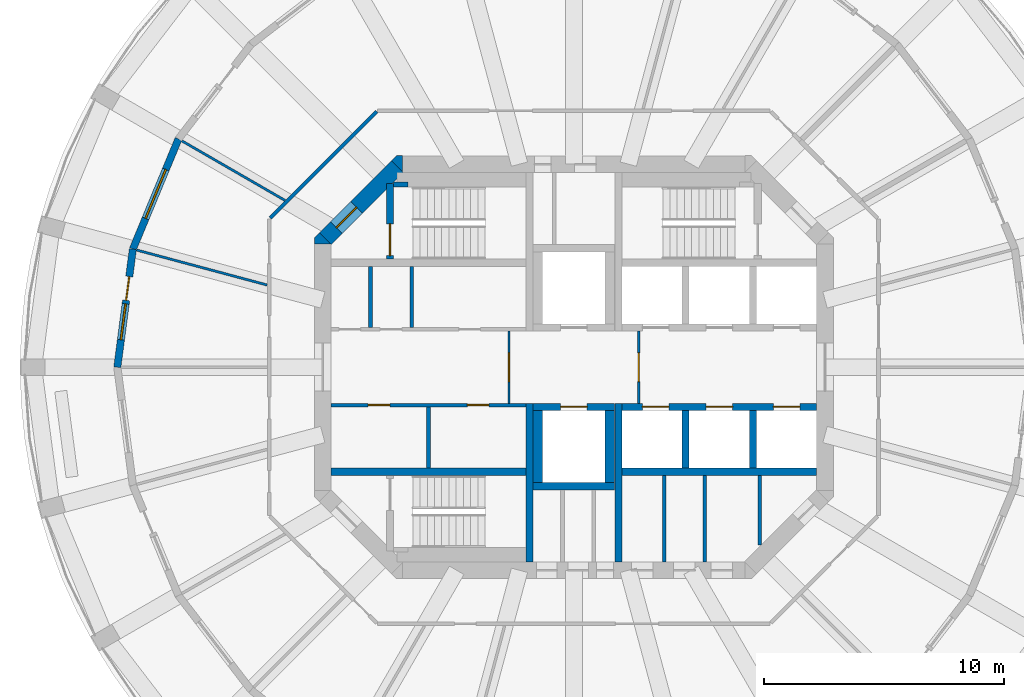
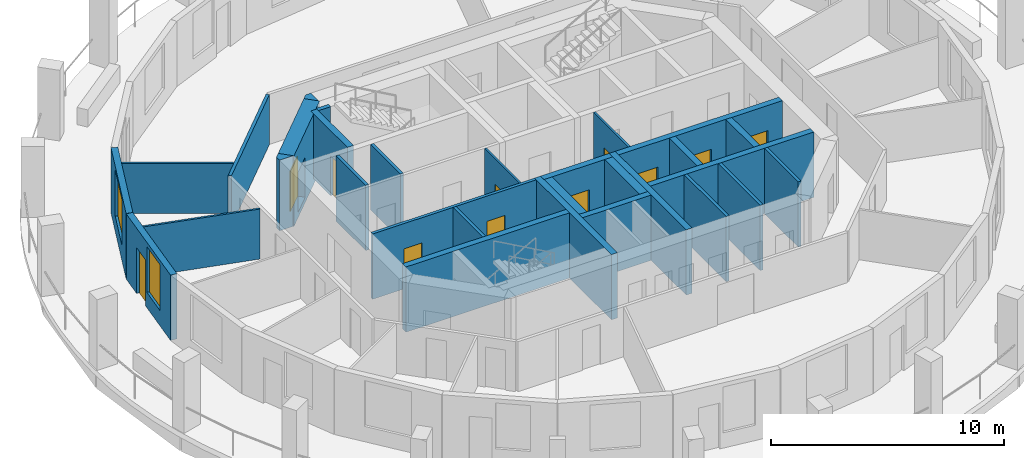
# One storey, part 4 of 9: 30 walls, 11 doors, 2 windows, 13 openings.
"""IFC4 building model written with IfcOpenShell, lengths in metres."""

from ifc_helpers import new_model, si_unit, direction, frame, frame_2d, origin, place, context, subcontext, project, spatial, polyline, rectangle, outline, extrude, material, layer, layer_set, type_object, element, fill, save


model = new_model("IFC4")

# Units and contexts
model_context = context("Model", 3, precision=1e-05, world=origin(), true_north=direction((0.0, 1.0)))
body_context = subcontext(model_context, "Body", "Model", "MODEL_VIEW")
ifc_project = project(units=[si_unit("LENGTHUNIT", "METRE"), si_unit("AREAUNIT", "SQUARE_METRE"), si_unit("VOLUMEUNIT", "CUBIC_METRE"), si_unit("PLANEANGLEUNIT", "RADIAN"), si_unit("MASSUNIT", "GRAM", prefix="KILO")], contexts=[model_context])

# Site, building, storey
site_placement = place(None, origin())
site = spatial("IfcSite", under=ifc_project, at=site_placement, CompositionType="ELEMENT")
building_placement = place(site_placement, origin())
building = spatial("IfcBuilding", under=site, at=building_placement, Name="Torre Triforio", CompositionType="ELEMENT")
storey_placement = place(building_placement, frame((0.0, 0.0, 169.0)))
storey = spatial("IfcBuildingStorey", under=building, at=storey_placement, Name="L38", CompositionType="ELEMENT", Elevation=169.0)

# Walls
ifc_material_1 = material(Name="Concrete C50", Category="concrete")
ifc_layer_1 = layer(ifc_material_1, 0.300048828125)
ifc_layer_set_1 = layer_set([ifc_layer_1], Name="Concrete C50")
wall_type_1 = type_object("IfcWallType", Name="Core wall 300 mm C50 EI 120", PredefinedType="SHEAR", material=ifc_layer_set_1)
for number, where, z_axis, x_axis, name in (
    (1, (-1.85009765625, -8.10009765625, 0.0), (0.0, 0.0, 1.0), (0.0, 1.0, 0.0), "Core wall"),
    (2, (1.85009765625, -8.10009765625, 0.0), (0.0, 0.0, 1.0), (0.0, 1.0, 0.0), "Core wall"),
):
    element("IfcWall", number, at=place(storey_placement, frame(where, z_axis=z_axis, x_axis=x_axis)), inside=storey, type_object=wall_type_1, Name=name, PredefinedType="SHEAR", context=body_context, shape_type="SweptSolid", body=[
        extrude(rectangle(XDim=6.60009765625, YDim=0.300048828125, at=frame_2d((3.300048828125, 0.0))), origin(), (0.0, 0.0, 1.0), 3.419921875),
    ])

# Wall, opening, door
ifc_layer_2 = layer(ifc_material_1, 0.699951171875)
ifc_layer_set_2 = layer_set([ifc_layer_2], Name="Concrete C50")
wall_type_2 = type_object("IfcWallType", Name="Core wall 700 mm C50 EI 120", PredefinedType="SHEAR", material=ifc_layer_set_2)
wall_1_placement = place(storey_placement, frame((-10.347412109375, 5.347412109375, -0.280029296875), z_axis=(0.0, 0.0, 1.0), x_axis=(0.707106781187, 0.707106781187, 0.0)))
wall_1 = element("IfcWall", 3, at=wall_1_placement, inside=storey, type_object=wall_type_2, Name="Core wall", PredefinedType="SHEAR", context=body_context, shape_type="SweptSolid", body=[
    extrude(rectangle(XDim=4.24267578125, YDim=0.699951171875, at=frame_2d((2.121337890625, 0.0))), origin(), (0.0, 0.0, 1.0), 3.699951171875),
])
opening_1_placement = place(wall_1_placement, frame((0.64990234375, 0.0, 0.280029296875)))
opening_1 = element("IfcOpeningElement", 4, at=opening_1_placement, cuts=wall_1, Name="Opening ST1-EXIT", PredefinedType="OPENING", context=body_context, shape_type="SweptSolid", body=[
    extrude(rectangle(XDim=1.199951171875, YDim=2.10009765625, at=frame_2d((0.60009765625, 1.050048828125))), frame((0.0, 0.35986328125, 0.0), z_axis=(0.0, -1.0, 0.0), x_axis=(1.0, 0.0, 0.0)), (0.0, 0.0, 1.0), 0.719970703125),
])
ifc_material_2 = material(Name="Hollow metal fire door leaf")
door_type_1 = type_object("IfcDoorType", Name="Stair lobby door 1200 x 2100 EI 60", OperationType="NOTDEFINED", PredefinedType="DOOR", material=ifc_material_2)
door_1_placement = place(opening_1_placement, origin())
door_1 = element("IfcDoor", 5, at=door_1_placement, inside=storey, type_object=door_type_1, Name="Core door ST1-EXIT", OperationType="SINGLE_SWING_RIGHT", OverallHeight=2.10009765625, OverallWidth=1.199951171875, PredefinedType="DOOR", context=body_context, shape_type="SweptSolid", body=[
    extrude(rectangle(XDim=1.199951171875, YDim=2.10009765625, at=frame_2d((0.60009765625, 1.050048828125))), frame((0.0, 0.02490234375, 0.0), z_axis=(0.0, -1.0, 0.0), x_axis=(1.0, 0.0, 0.0)), (0.0, 0.0, 1.0), 0.050048828125),
])
fill(opening_1, door_1)

# Walls
wall_2_placement = place(storey_placement, frame((0.0, 0.0, -0.280029296875)))
element("IfcWall", 6, at=wall_2_placement, inside=storey, type_object=wall_type_2, Name="Core wall", PredefinedType="SHEAR", context=body_context, shape_type="SweptSolid", body=[
    extrude(outline(polyline([(-10.594970703125, 5.594970703125), (-10.594970703125, 5.594970703125), (-10.594970703125, 5.594970703125), (-10.1298828125, 5.1298828125), (-10.800048828125, 5.1298828125), (-10.800048828125, 5.1298828125), (-10.800048828125, 5.389892578125), (-10.594970703125, 5.594970703125)])), origin(), (0.0, 0.0, 1.0), 3.699951171875),
])
wall_3_placement = place(storey_placement, frame((0.0, 0.0, -0.280029296875)))
element("IfcWall", 7, at=wall_3_placement, inside=storey, type_object=wall_type_2, Name="Core wall", PredefinedType="SHEAR", context=body_context, shape_type="SweptSolid", body=[
    extrude(outline(polyline([(-7.389892578125, 8.800048828125), (-7.1298828125, 8.800048828125), (-7.1298828125, 8.800048828125), (-7.1298828125, 8.1298828125), (-7.594970703125, 8.594970703125), (-7.594970703125, 8.594970703125), (-7.594970703125, 8.594970703125), (-7.389892578125, 8.800048828125)])), origin(), (0.0, 0.0, 1.0), 3.699951171875),
])
ifc_material_3 = material(Name="Plasterboard on metal studs")
ifc_layer_3 = layer(ifc_material_3, 0.14990234375)
ifc_layer_set_3 = layer_set([ifc_layer_3], Name="Plasterboard on metal studs")
wall_type_3 = type_object("IfcWallType", Name="Corridor and tenancy wall 150 mm EI 60", PredefinedType="PARTITIONING", material=ifc_layer_set_3)
wall_4_placement = place(storey_placement, frame((-12.637939453125, 6.20361328125, 0.0), z_axis=(0.0, 0.0, 1.0), x_axis=(0.707106781187, 0.707106781187, 0.0)))
element("IfcWall", 8, at=wall_4_placement, inside=storey, type_object=wall_type_3, Name="Partition 5", PredefinedType="PARTITIONING", context=body_context, shape_type="SweptSolid", body=[
    extrude(rectangle(XDim=6.27099609375, YDim=0.14990234375, at=frame_2d((3.135498046875, 0.0))), origin(), (0.0, 0.0, 1.0), 2.6201171875),
])

# Wall, opening, door
ifc_material_4 = material(Name="Block and board partition")
ifc_layer_4 = layer(ifc_material_4, 0.10009765625)
ifc_layer_set_4 = layer_set([ifc_layer_4], Name="Block and board partition")
wall_type_4 = type_object("IfcWallType", Name="Partition 100 mm EI 120", PredefinedType="PARTITIONING", material=ifc_layer_set_4)
wall_5_placement = place(storey_placement, frame((-2.699951171875, -1.5, 0.0), z_axis=(0.0, 0.0, 1.0), x_axis=(0.0, 1.0, 0.0)))
wall_5 = element("IfcWall", 9, at=wall_5_placement, inside=storey, type_object=wall_type_4, Name="Partition", PredefinedType="PARTITIONING", context=body_context, shape_type="SweptSolid", body=[
    extrude(rectangle(XDim=3.0, YDim=0.10009765625, at=frame_2d((1.5, 0.0))), origin(), (0.0, 0.0, 1.0), 3.419921875),
])
opening_2_placement = place(wall_5_placement, frame((0.89990234375, 0.0, 0.0)))
opening_2 = element("IfcOpeningElement", 10, at=opening_2_placement, cuts=wall_5, Name="Opening FF-W", PredefinedType="OPENING", context=body_context, shape_type="SweptSolid", body=[
    extrude(rectangle(XDim=1.199951171875, YDim=2.10009765625, at=frame_2d((0.60009765625, 1.050048828125))), frame((0.0, 0.06005859375, 0.0), z_axis=(0.0, -1.0, 0.0), x_axis=(1.0, 0.0, 0.0)), (0.0, 0.0, 1.0), 0.1201171875),
])
door_type_2 = type_object("IfcDoorType", Name="Fire-fighting lobby door 1200 x 2100 EI 60", OperationType="NOTDEFINED", PredefinedType="DOOR", material=ifc_material_2)
door_2_placement = place(opening_2_placement, origin())
door_2 = element("IfcDoor", 11, at=door_2_placement, inside=storey, type_object=door_type_2, Name="Core door FF-W", OperationType="SINGLE_SWING_LEFT", OverallHeight=2.10009765625, OverallWidth=1.199951171875, PredefinedType="DOOR", context=body_context, shape_type="SweptSolid", body=[
    extrude(rectangle(XDim=1.199951171875, YDim=2.10009765625, at=frame_2d((0.60009765625, 1.050048828125))), frame((0.0, 0.02490234375, 0.0), z_axis=(0.0, -1.0, 0.0), x_axis=(1.0, 0.0, 0.0)), (0.0, 0.0, 1.0), 0.050048828125),
])
fill(opening_2, door_2)

wall_6_placement = place(storey_placement, frame((2.699951171875, -1.5, 0.0), z_axis=(0.0, 0.0, 1.0), x_axis=(0.0, 1.0, 0.0)))
wall_6 = element("IfcWall", 12, at=wall_6_placement, inside=storey, type_object=wall_type_4, Name="Partition", PredefinedType="PARTITIONING", context=body_context, shape_type="SweptSolid", body=[
    extrude(rectangle(XDim=3.0, YDim=0.10009765625, at=frame_2d((1.5, 0.0))), origin(), (0.0, 0.0, 1.0), 3.419921875),
])
opening_3_placement = place(wall_6_placement, frame((0.89990234375, 0.0, 0.0)))
opening_3 = element("IfcOpeningElement", 13, at=opening_3_placement, cuts=wall_6, Name="Opening FF-E", PredefinedType="OPENING", context=body_context, shape_type="SweptSolid", body=[
    extrude(rectangle(XDim=1.199951171875, YDim=2.10009765625, at=frame_2d((0.60009765625, 1.050048828125))), frame((0.0, 0.06005859375, 0.0), z_axis=(0.0, -1.0, 0.0), x_axis=(1.0, 0.0, 0.0)), (0.0, 0.0, 1.0), 0.1201171875),
])
door_3_placement = place(opening_3_placement, origin())
door_3 = element("IfcDoor", 14, at=door_3_placement, inside=storey, type_object=door_type_2, Name="Core door FF-E", OperationType="SINGLE_SWING_LEFT", OverallHeight=2.10009765625, OverallWidth=1.199951171875, PredefinedType="DOOR", context=body_context, shape_type="SweptSolid", body=[
    extrude(rectangle(XDim=1.199951171875, YDim=2.10009765625, at=frame_2d((0.60009765625, 1.050048828125))), frame((0.0, 0.02490234375, 0.0), z_axis=(0.0, -1.0, 0.0), x_axis=(1.0, 0.0, 0.0)), (0.0, 0.0, 1.0), 0.050048828125),
])
fill(opening_3, door_3)

# Walls
ifc_layer_5 = layer(ifc_material_3, 0.10009765625)
ifc_layer_set_5 = layer_set([ifc_layer_5], Name="Plasterboard on metal studs")
wall_type_5 = type_object("IfcWallType", Name="Partition 100 mm board on metal studs", PredefinedType="PARTITIONING", material=ifc_layer_set_5)
wall_7_placement = place(storey_placement, frame((-12.025146484375, 6.94287109375, 0.0), z_axis=(0.0, 0.0, 1.0), x_axis=(-0.866025463095, 0.499999897272, 0.0)))
element("IfcWall", 15, at=wall_7_placement, inside=storey, type_object=wall_type_5, Name="Partition 17", PredefinedType="PARTITIONING", context=body_context, shape_type="SweptSolid", body=[
    extrude(rectangle(XDim=4.951171875, YDim=0.10009765625, at=frame_2d((2.4755859375, 0.0))), origin(), (0.0, 0.0, 1.0), 2.6201171875),
])
wall_8_placement = place(storey_placement, frame((-12.764404296875, 3.420166015625, 0.0), z_axis=(0.0, 0.0, 1.0), x_axis=(-0.965925759926, 0.258819292773, 0.0)))
element("IfcWall", 16, at=wall_8_placement, inside=storey, type_object=wall_type_5, Name="Partition 18", PredefinedType="PARTITIONING", context=body_context, shape_type="SweptSolid", body=[
    extrude(rectangle(XDim=5.6220703125, YDim=0.10009765625, at=frame_2d((2.81103515625, 0.0))), origin(), (0.0, 0.0, 1.0), 2.6201171875),
])
ifc_layer_6 = layer(ifc_material_4, 0.14990234375)
ifc_layer_set_6 = layer_set([ifc_layer_6], Name="Block and board partition")
wall_type_6 = type_object("IfcWallType", Name="Partition 150 mm", PredefinedType="PARTITIONING", material=ifc_layer_set_6)
for number, where, z_axis, x_axis, name in (
    (17, (3.758056640625, -8.10009765625, 0.0), (0.0, 0.0, 1.0), (0.0, 1.0, 0.0), "Partition"),
    (18, (5.43798828125, -8.10009765625, 0.0), (0.0, 0.0, 1.0), (0.0, 1.0, 0.0), "Partition"),
):
    element("IfcWall", number, at=place(storey_placement, frame(where, z_axis=z_axis, x_axis=x_axis)), inside=storey, type_object=wall_type_6, Name=name, PredefinedType="PARTITIONING", context=body_context, shape_type="SweptSolid", body=[
        extrude(rectangle(XDim=3.60009765625, YDim=0.14990234375, at=frame_2d((1.800048828125, 0.0))), origin(), (0.0, 0.0, 1.0), 3.419921875),
    ])
wall_9_placement = place(storey_placement, frame((7.72998046875, -7.39501953125, 0.0), z_axis=(0.0, 0.0, 1.0), x_axis=(0.0, 1.0, 0.0)))
element("IfcWall", 19, at=wall_9_placement, inside=storey, type_object=wall_type_6, Name="Partition", PredefinedType="PARTITIONING", context=body_context, shape_type="SweptSolid", body=[
    extrude(rectangle(XDim=2.89501953125, YDim=0.14990234375, at=frame_2d((1.447509765625, 0.0))), origin(), (0.0, 0.0, 1.0), 3.419921875),
])
for number, where, z_axis, x_axis, name in (
    (20, (-8.465087890625, 1.64990234375, 0.0), (0.0, 0.0, 1.0), (0.0, 1.0, 0.0), "Partition"),
    (21, (-6.7548828125, 1.64990234375, 0.0), (0.0, 0.0, 1.0), (0.0, 1.0, 0.0), "Partition"),
    (22, (-6.050048828125, -4.199951171875, 0.0), (0.0, 0.0, 1.0), (0.0, 1.0, 0.0), "Partition"),
):
    element("IfcWall", number, at=place(storey_placement, frame(where, z_axis=z_axis, x_axis=x_axis)), inside=storey, type_object=wall_type_6, Name=name, PredefinedType="PARTITIONING", context=body_context, shape_type="SweptSolid", body=[
        extrude(rectangle(XDim=2.550048828125, YDim=0.14990234375, at=frame_2d((1.27490234375, 0.0))), origin(), (0.0, 0.0, 1.0), 3.419921875),
    ])

# Wall, openings, doors
ifc_layer_7 = layer(ifc_material_4, 0.14990234375)
ifc_layer_set_7 = layer_set([ifc_layer_7], Name="Block and board partition")
wall_type_7 = type_object("IfcWallType", Name="Partition 150 mm EI 120", PredefinedType="PARTITIONING", material=ifc_layer_set_7)
wall_10_placement = place(storey_placement, frame((-10.10009765625, -1.574951171875, 0.0), z_axis=(0.0, 0.0, 1.0), x_axis=(1.0, 0.0, 0.0)))
wall_10 = element("IfcWall", 23, at=wall_10_placement, inside=storey, type_object=wall_type_7, Name="Partition", PredefinedType="PARTITIONING", context=body_context, shape_type="SweptSolid", body=[
    extrude(rectangle(XDim=8.10009765625, YDim=0.14990234375, at=frame_2d((4.050048828125, 0.0))), origin(), (0.0, 0.0, 1.0), 3.419921875),
])
opening_4_placement = place(wall_10_placement, frame((1.53759765625, 0.0, 0.0)))
opening_4 = element("IfcOpeningElement", 24, at=opening_4_placement, cuts=wall_10, Name="Opening FS-01", PredefinedType="OPENING", context=body_context, shape_type="SweptSolid", body=[
    extrude(rectangle(XDim=0.89990234375, YDim=2.10009765625, at=frame_2d((0.449951171875, 1.050048828125))), frame((0.0, 0.0849609375, 0.0), z_axis=(0.0, -1.0, 0.0), x_axis=(1.0, 0.0, 0.0)), (0.0, 0.0, 1.0), 0.169921875),
])
opening_5_placement = place(wall_10_placement, frame((5.66259765625, 0.0, 0.0)))
opening_5 = element("IfcOpeningElement", 25, at=opening_5_placement, cuts=wall_10, Name="Opening FS-02", PredefinedType="OPENING", context=body_context, shape_type="SweptSolid", body=[
    extrude(rectangle(XDim=0.89990234375, YDim=2.10009765625, at=frame_2d((0.449951171875, 1.050048828125))), frame((0.0, 0.0849609375, 0.0), z_axis=(0.0, -1.0, 0.0), x_axis=(1.0, 0.0, 0.0)), (0.0, 0.0, 1.0), 0.169921875),
])
door_type_3 = type_object("IfcDoorType", Name="Room door 900 x 2100 EI 60", OperationType="NOTDEFINED", PredefinedType="DOOR", material=ifc_material_2)
door_4_placement = place(opening_4_placement, origin())
door_4 = element("IfcDoor", 26, at=door_4_placement, inside=storey, type_object=door_type_3, Name="Core door FS-01", OperationType="SINGLE_SWING_LEFT", OverallHeight=2.10009765625, OverallWidth=0.89990234375, PredefinedType="DOOR", context=body_context, shape_type="SweptSolid", body=[
    extrude(rectangle(XDim=0.89990234375, YDim=2.10009765625, at=frame_2d((0.449951171875, 1.050048828125))), frame((0.0, 0.02490234375, 0.0), z_axis=(0.0, -1.0, 0.0), x_axis=(1.0, 0.0, 0.0)), (0.0, 0.0, 1.0), 0.050048828125),
])
fill(opening_4, door_4)
door_5_placement = place(opening_5_placement, origin())
door_5 = element("IfcDoor", 27, at=door_5_placement, inside=storey, type_object=door_type_3, Name="Core door FS-02", OperationType="SINGLE_SWING_LEFT", OverallHeight=2.10009765625, OverallWidth=0.89990234375, PredefinedType="DOOR", context=body_context, shape_type="SweptSolid", body=[
    extrude(rectangle(XDim=0.89990234375, YDim=2.10009765625, at=frame_2d((0.449951171875, 1.050048828125))), frame((0.0, 0.02490234375, 0.0), z_axis=(0.0, -1.0, 0.0), x_axis=(1.0, 0.0, 0.0)), (0.0, 0.0, 1.0), 0.050048828125),
])
fill(opening_5, door_5)

# Walls
ifc_layer_8 = layer(ifc_material_1, 0.300048828125)
ifc_layer_set_8 = layer_set([ifc_layer_8], Name="Concrete C50")
wall_type_8 = type_object("IfcWallType", Name="Shaft wall 300 mm C50 EI 120", PredefinedType="SOLIDWALL", material=ifc_layer_set_8)
for number, where, z_axis, x_axis, name in (
    (28, (-10.10009765625, -4.35009765625, 0.0), (0.0, 0.0, 1.0), (1.0, 0.0, 0.0), "Shaft wall"),
    (29, (2.0, -4.35009765625, 0.0), (0.0, 0.0, 1.0), (1.0, 0.0, 0.0), "Shaft wall"),
):
    element("IfcWall", number, at=place(storey_placement, frame(where, z_axis=z_axis, x_axis=x_axis)), inside=storey, type_object=wall_type_8, Name=name, PredefinedType="SOLIDWALL", context=body_context, shape_type="SweptSolid", body=[
        extrude(rectangle(XDim=8.10009765625, YDim=0.300048828125, at=frame_2d((4.050048828125, 0.0))), origin(), (0.0, 0.0, 1.0), 3.419921875),
    ])

# Wall, openings, doors
wall_11_placement = place(storey_placement, frame((2.0, -1.64990234375, 0.0), z_axis=(0.0, 0.0, 1.0), x_axis=(1.0, 0.0, 0.0)))
wall_11 = element("IfcWall", 30, at=wall_11_placement, inside=storey, type_object=wall_type_8, Name="Shaft wall", PredefinedType="SOLIDWALL", context=body_context, shape_type="SweptSolid", body=[
    extrude(rectangle(XDim=8.10009765625, YDim=0.300048828125, at=frame_2d((4.050048828125, 0.0))), origin(), (0.0, 0.0, 1.0), 3.419921875),
])
opening_6_placement = place(wall_11_placement, frame((0.85009765625, 0.0, 0.0)))
opening_6 = element("IfcOpeningElement", 31, at=opening_6_placement, cuts=wall_11, Name="Opening LD", PredefinedType="OPENING", context=body_context, shape_type="SweptSolid", body=[
    extrude(rectangle(XDim=1.10009765625, YDim=2.10009765625, at=frame_2d((0.550048828125, 1.050048828125))), frame((0.0, 0.159912109375, 0.0), z_axis=(0.0, -1.0, 0.0), x_axis=(1.0, 0.0, 0.0)), (0.0, 0.0, 1.0), 0.320068359375),
])
opening_7_placement = place(wall_11_placement, frame((3.5, 0.0, 0.0)))
opening_7 = element("IfcOpeningElement", 32, at=opening_7_placement, cuts=wall_11, Name="Opening LD", PredefinedType="OPENING", context=body_context, shape_type="SweptSolid", body=[
    extrude(rectangle(XDim=1.10009765625, YDim=2.10009765625, at=frame_2d((0.550048828125, 1.050048828125))), frame((0.0, 0.159912109375, 0.0), z_axis=(0.0, -1.0, 0.0), x_axis=(1.0, 0.0, 0.0)), (0.0, 0.0, 1.0), 0.320068359375),
])
opening_8_placement = place(wall_11_placement, frame((6.300048828125, 0.0, 0.0)))
opening_8 = element("IfcOpeningElement", 33, at=opening_8_placement, cuts=wall_11, Name="Opening LD", PredefinedType="OPENING", context=body_context, shape_type="SweptSolid", body=[
    extrude(rectangle(XDim=1.10009765625, YDim=2.10009765625, at=frame_2d((0.550048828125, 1.050048828125))), frame((0.0, 0.159912109375, 0.0), z_axis=(0.0, -1.0, 0.0), x_axis=(1.0, 0.0, 0.0)), (0.0, 0.0, 1.0), 0.320068359375),
])
door_type_4 = type_object("IfcDoorType", Name="Landing door 1100 x 2100 EI 60", OperationType="DOUBLE_DOOR_SLIDING", PredefinedType="DOOR", material=ifc_material_2)
door_6_placement = place(opening_6_placement, origin())
door_6 = element("IfcDoor", 34, at=door_6_placement, inside=storey, type_object=door_type_4, Name="Landing door HR4", OperationType="DOUBLE_DOOR_SLIDING", OverallHeight=2.10009765625, OverallWidth=1.10009765625, PredefinedType="DOOR", context=body_context, shape_type="SweptSolid", body=[
    extrude(rectangle(XDim=1.10009765625, YDim=2.10009765625, at=frame_2d((0.550048828125, 1.050048828125))), frame((0.0, 0.02490234375, 0.0), z_axis=(0.0, -1.0, 0.0), x_axis=(1.0, 0.0, 0.0)), (0.0, 0.0, 1.0), 0.050048828125),
])
fill(opening_6, door_6)
door_7_placement = place(opening_7_placement, origin())
door_7 = element("IfcDoor", 35, at=door_7_placement, inside=storey, type_object=door_type_4, Name="Landing door HR5", OperationType="DOUBLE_DOOR_SLIDING", OverallHeight=2.10009765625, OverallWidth=1.10009765625, PredefinedType="DOOR", context=body_context, shape_type="SweptSolid", body=[
    extrude(rectangle(XDim=1.10009765625, YDim=2.10009765625, at=frame_2d((0.550048828125, 1.050048828125))), frame((0.0, 0.02490234375, 0.0), z_axis=(0.0, -1.0, 0.0), x_axis=(1.0, 0.0, 0.0)), (0.0, 0.0, 1.0), 0.050048828125),
])
fill(opening_7, door_7)
door_8_placement = place(opening_8_placement, origin())
door_8 = element("IfcDoor", 36, at=door_8_placement, inside=storey, type_object=door_type_4, Name="Landing door HR6", OperationType="DOUBLE_DOOR_SLIDING", OverallHeight=2.10009765625, OverallWidth=1.10009765625, PredefinedType="DOOR", context=body_context, shape_type="SweptSolid", body=[
    extrude(rectangle(XDim=1.10009765625, YDim=2.10009765625, at=frame_2d((0.550048828125, 1.050048828125))), frame((0.0, 0.02490234375, 0.0), z_axis=(0.0, -1.0, 0.0), x_axis=(1.0, 0.0, 0.0)), (0.0, 0.0, 1.0), 0.050048828125),
])
fill(opening_8, door_8)

# Walls
for number, where, z_axis, x_axis, name in (
    (37, (4.64990234375, -4.199951171875, 0.0), (0.0, 0.0, 1.0), (0.0, 1.0, 0.0), "Shaft wall"),
    (38, (7.449951171875, -4.199951171875, 0.0), (0.0, 0.0, 1.0), (0.0, 1.0, 0.0), "Shaft wall"),
):
    element("IfcWall", number, at=place(storey_placement, frame(where, z_axis=z_axis, x_axis=x_axis)), inside=storey, type_object=wall_type_8, Name=name, PredefinedType="SOLIDWALL", context=body_context, shape_type="SweptSolid", body=[
        extrude(rectangle(XDim=2.39990234375, YDim=0.300048828125, at=frame_2d((1.199951171875, 0.0))), origin(), (0.0, 0.0, 1.0), 3.419921875),
    ])

# Wall, opening, door
wall_12_placement = place(storey_placement, frame((-1.699951171875, -1.64990234375, 0.0), z_axis=(0.0, 0.0, 1.0), x_axis=(1.0, 0.0, 0.0)))
wall_12 = element("IfcWall", 39, at=wall_12_placement, inside=storey, type_object=wall_type_8, Name="Shaft wall", PredefinedType="SOLIDWALL", context=body_context, shape_type="SweptSolid", body=[
    extrude(rectangle(XDim=3.39990234375, YDim=0.300048828125, at=frame_2d((1.699951171875, 0.0))), origin(), (0.0, 0.0, 1.0), 3.419921875),
])
opening_9_placement = place(wall_12_placement, frame((1.14990234375, 0.0, 0.0)))
opening_9 = element("IfcOpeningElement", 40, at=opening_9_placement, cuts=wall_12, Name="Opening LD", PredefinedType="OPENING", context=body_context, shape_type="SweptSolid", body=[
    extrude(rectangle(XDim=1.10009765625, YDim=2.10009765625, at=frame_2d((0.550048828125, 1.050048828125))), frame((0.0, 0.159912109375, 0.0), z_axis=(0.0, -1.0, 0.0), x_axis=(1.0, 0.0, 0.0)), (0.0, 0.0, 1.0), 0.320068359375),
])
door_9_placement = place(opening_9_placement, origin())
door_9 = element("IfcDoor", 41, at=door_9_placement, inside=storey, type_object=door_type_4, Name="Landing door FFL2", OperationType="DOUBLE_DOOR_SLIDING", OverallHeight=2.10009765625, OverallWidth=1.10009765625, PredefinedType="DOOR", context=body_context, shape_type="SweptSolid", body=[
    extrude(rectangle(XDim=1.10009765625, YDim=2.10009765625, at=frame_2d((0.550048828125, 1.050048828125))), frame((0.0, 0.02490234375, 0.0), z_axis=(0.0, -1.0, 0.0), x_axis=(1.0, 0.0, 0.0)), (0.0, 0.0, 1.0), 0.050048828125),
])
fill(opening_9, door_9)

# Walls
wall_13_placement = place(storey_placement, frame((-1.699951171875, -4.949951171875, 0.0), z_axis=(0.0, 0.0, 1.0), x_axis=(1.0, 0.0, 0.0)))
element("IfcWall", 42, at=wall_13_placement, inside=storey, type_object=wall_type_8, Name="Shaft wall", PredefinedType="SOLIDWALL", context=body_context, shape_type="SweptSolid", body=[
    extrude(rectangle(XDim=3.39990234375, YDim=0.300048828125, at=frame_2d((1.699951171875, 0.0))), origin(), (0.0, 0.0, 1.0), 3.419921875),
])
ifc_layer_9 = layer(ifc_material_1, 0.39990234375)
ifc_layer_set_9 = layer_set([ifc_layer_9], Name="Concrete C50")
wall_type_9 = type_object("IfcWallType", Name="Shaft wall 400 mm C50 EI 120", PredefinedType="SOLIDWALL", material=ifc_layer_set_9)
for number, where, z_axis, x_axis, name in (
    (43, (-1.5, -4.800048828125, 0.0), (0.0, 0.0, 1.0), (0.0, 1.0, 0.0), "Shaft wall"),
    (44, (1.5, -4.800048828125, 0.0), (0.0, 0.0, 1.0), (0.0, 1.0, 0.0), "Shaft wall"),
):
    element("IfcWall", number, at=place(storey_placement, frame(where, z_axis=z_axis, x_axis=x_axis)), inside=storey, type_object=wall_type_9, Name=name, PredefinedType="SOLIDWALL", context=body_context, shape_type="SweptSolid", body=[
        extrude(rectangle(XDim=3.0, YDim=0.39990234375, at=frame_2d((1.5, 0.0))), origin(), (0.0, 0.0, 1.0), 3.419921875),
    ])
ifc_layer_10 = layer(ifc_material_1, 0.199951171875)
ifc_layer_set_10 = layer_set([ifc_layer_10], Name="Concrete C50")
wall_type_10 = type_object("IfcWallType", Name="Stair wall 200 mm C50 EI 120", PredefinedType="SHEAR", material=ifc_layer_set_10)
wall_14_placement = place(storey_placement, frame((-7.5, 7.60009765625, 0.0), z_axis=(0.0, 0.0, 1.0), x_axis=(1.0, 0.0, 0.0)))
element("IfcWall", 45, at=wall_14_placement, inside=storey, type_object=wall_type_10, Name="Stair wall", PredefinedType="SHEAR", context=body_context, shape_type="SweptSolid", body=[
    extrude(rectangle(XDim=0.60009765625, YDim=0.199951171875, at=frame_2d((0.300048828125, 0.0))), origin(), (0.0, 0.0, 1.0), 3.419921875),
])

# Wall, opening, door
ifc_layer_11 = layer(ifc_material_1, 0.300048828125)
ifc_layer_set_11 = layer_set([ifc_layer_11], Name="Concrete C50")
wall_type_11 = type_object("IfcWallType", Name="Stair wall 300 mm C50 EI 120", PredefinedType="SHEAR", material=ifc_layer_set_11)
wall_15_placement = place(storey_placement, frame((-7.64990234375, 4.5, 0.0), z_axis=(0.0, 0.0, 1.0), x_axis=(0.0, 1.0, 0.0)))
wall_15 = element("IfcWall", 46, at=wall_15_placement, inside=storey, type_object=wall_type_11, Name="Stair wall", PredefinedType="SHEAR", context=body_context, shape_type="SweptSolid", body=[
    extrude(rectangle(XDim=3.139892578125, YDim=0.300048828125, at=frame_2d((1.56982421875, 0.0))), origin(), (0.0, 0.0, 1.0), 3.419921875),
])
opening_10_placement = place(wall_15_placement, frame((0.139892578125, 0.0, 0.0)))
opening_10 = element("IfcOpeningElement", 47, at=opening_10_placement, cuts=wall_15, Name="Opening ST1-STA", PredefinedType="OPENING", context=body_context, shape_type="SweptSolid", body=[
    extrude(rectangle(XDim=1.320068359375, YDim=2.10009765625, at=frame_2d((0.66015625, 1.050048828125))), frame((0.0, 0.159912109375, 0.0), z_axis=(0.0, -1.0, 0.0), x_axis=(1.0, 0.0, 0.0)), (0.0, 0.0, 1.0), 0.320068359375),
])
door_type_5 = type_object("IfcDoorType", Name="Stair door 1320 x 2100 EI 90", OperationType="DOUBLE_DOOR_SINGLE_SWING", PredefinedType="DOOR", material=ifc_material_2)
door_10_placement = place(opening_10_placement, origin())
door_10 = element("IfcDoor", 48, at=door_10_placement, inside=storey, type_object=door_type_5, Name="Core door ST1-ST", OperationType="DOUBLE_DOOR_SINGLE_SWING", OverallHeight=2.10009765625, OverallWidth=1.320068359375, PredefinedType="DOOR", context=body_context, shape_type="SweptSolid", body=[
    extrude(rectangle(XDim=1.320068359375, YDim=2.10009765625, at=frame_2d((0.66015625, 1.050048828125))), frame((0.0, 0.02490234375, 0.0), z_axis=(0.0, -1.0, 0.0), x_axis=(1.0, 0.0, 0.0)), (0.0, 0.0, 1.0), 0.050048828125),
])
fill(opening_10, door_10)

# Wall, opening, window
ifc_material_5 = material(Name="Limestone cladding", Category="masonry")
ifc_layer_12 = layer(ifc_material_5, 0.10009765625)
ifc_material_6 = material(Name="Concrete C40", Category="concrete")
ifc_layer_13 = layer(ifc_material_6, 0.199951171875)
ifc_layer_set_12 = layer_set([ifc_layer_12, ifc_layer_13], Name="Limestone cladding / Concrete C40")
wall_type_12 = type_object("IfcWallType", Name="Stone-faced composite wall 300", PredefinedType="STANDARD", material=ifc_layer_set_12)
wall_16_placement = place(storey_placement, frame((-16.45458984375, 9.5, 0.0), z_axis=(0.0, 0.0, 1.0), x_axis=(-0.382650301762, -0.923893254961, 0.0)))
wall_16 = element("IfcWall", 49, at=wall_16_placement, inside=storey, type_object=wall_type_12, Name="External wall L38 bay 11", PredefinedType="STANDARD", context=body_context, shape_type="SweptSolid", body=[
    extrude(rectangle(XDim=4.9599609375, YDim=0.300048828125, at=frame_2d((2.47998046875, 0.0))), origin(), (0.0, 0.0, 1.0), 3.419921875),
])
opening_11_placement = place(wall_16_placement, frame((1.3798828125, 0.0, 0.800048828125)))
opening_11 = element("IfcOpeningElement", 50, at=opening_11_placement, cuts=wall_16, Name="Opening O2-W11", PredefinedType="OPENING", context=body_context, shape_type="SweptSolid", body=[
    extrude(rectangle(XDim=2.199951171875, YDim=2.39990234375, at=frame_2d((1.10009765625, 1.199951171875))), frame((0.0, 0.159912109375, 0.0), z_axis=(0.0, -1.0, 0.0), x_axis=(1.0, 0.0, 0.0)), (0.0, 0.0, 1.0), 0.320068359375),
])
ifc_material_7 = material(Name="Aluminium frame with clear double glazing", Category="aluminium")
window_type_1 = type_object("IfcWindowType", Name="Punched window 2200 x 2400", PartitioningType="DOUBLE_PANEL_VERTICAL", PredefinedType="WINDOW", material=ifc_material_7)
window_1_placement = place(opening_11_placement, origin())
window_1 = element("IfcWindow", 51, at=window_1_placement, inside=storey, type_object=window_type_1, Name="Window EWN5 L38 bay 11", OverallHeight=2.39990234375, OverallWidth=2.199951171875, PartitioningType="SINGLE_PANEL", PredefinedType="WINDOW", context=body_context, shape_type="SweptSolid", body=[
    extrude(rectangle(XDim=2.199951171875, YDim=2.39990234375, at=frame_2d((1.10009765625, 1.199951171875))), frame((0.0, 0.030029296875, 0.0), z_axis=(0.0, -1.0, 0.0), x_axis=(1.0, 0.0, 0.0)), (0.0, 0.0, 1.0), 0.06005859375),
])
fill(opening_11, window_1)

# Wall, openings, door, window
wall_17_placement = place(storey_placement, frame((-18.3525390625, 4.91748046875, 0.0), z_axis=(0.0, 0.0, 1.0), x_axis=(-0.130538549191, -0.991443234469, 0.0)))
wall_17 = element("IfcWall", 52, at=wall_17_placement, inside=storey, type_object=wall_type_12, Name="External wall L38 bay 12", PredefinedType="STANDARD", context=body_context, shape_type="SweptSolid", body=[
    extrude(rectangle(XDim=4.9599609375, YDim=0.300048828125, at=frame_2d((2.47998046875, 0.0))), origin(), (0.0, 0.0, 1.0), 3.419921875),
])
opening_12_placement = place(wall_17_placement, frame((1.155029296875, 0.0, 0.0)))
opening_12 = element("IfcOpeningElement", 53, at=opening_12_placement, cuts=wall_17, Name="Opening O2-D12", PredefinedType="OPENING", context=body_context, shape_type="SweptSolid", body=[
    extrude(rectangle(XDim=1.0, YDim=2.39990234375, at=frame_2d((0.5, 1.199951171875))), frame((0.0, 0.159912109375, 0.0), z_axis=(0.0, -1.0, 0.0), x_axis=(1.0, 0.0, 0.0)), (0.0, 0.0, 1.0), 0.320068359375),
])
opening_13_placement = place(wall_17_placement, frame((2.304931640625, 0.0, 0.800048828125)))
opening_13 = element("IfcOpeningElement", 54, at=opening_13_placement, cuts=wall_17, Name="Opening O2-W12A", PredefinedType="OPENING", context=body_context, shape_type="SweptSolid", body=[
    extrude(rectangle(XDim=1.5, YDim=2.39990234375, at=frame_2d((0.75, 1.199951171875))), frame((0.0, 0.159912109375, 0.0), z_axis=(0.0, -1.0, 0.0), x_axis=(1.0, 0.0, 0.0)), (0.0, 0.0, 1.0), 0.320068359375),
])
door_type_6 = type_object("IfcDoorType", Name="Loggia door 1000 x 2400", OperationType="NOTDEFINED", PredefinedType="DOOR", material=ifc_material_7)
door_11_placement = place(opening_12_placement, origin())
door_11 = element("IfcDoor", 55, at=door_11_placement, inside=storey, type_object=door_type_6, Name="Loggia door L38 bay 12", OperationType="SINGLE_SWING_LEFT", OverallHeight=2.39990234375, OverallWidth=1.0, PredefinedType="DOOR", context=body_context, shape_type="SweptSolid", body=[
    extrude(rectangle(XDim=1.0, YDim=2.39990234375, at=frame_2d((0.5, 1.199951171875))), frame((0.0, 0.02490234375, 0.0), z_axis=(0.0, -1.0, 0.0), x_axis=(1.0, 0.0, 0.0)), (0.0, 0.0, 1.0), 0.050048828125),
])
fill(opening_12, door_11)
window_type_2 = type_object("IfcWindowType", Name="Side window 1500 x 2400", PartitioningType="SINGLE_PANEL", PredefinedType="WINDOW", material=ifc_material_7)
window_2_placement = place(opening_13_placement, origin())
window_2 = element("IfcWindow", 56, at=window_2_placement, inside=storey, type_object=window_type_2, Name="Side window EWN14 L38 bay 12", OverallHeight=2.39990234375, OverallWidth=1.5, PartitioningType="SINGLE_PANEL", PredefinedType="WINDOW", context=body_context, shape_type="SweptSolid", body=[
    extrude(rectangle(XDim=1.5, YDim=2.39990234375, at=frame_2d((0.75, 1.199951171875))), frame((0.0, 0.030029296875, 0.0), z_axis=(0.0, -1.0, 0.0), x_axis=(1.0, 0.0, 0.0)), (0.0, 0.0, 1.0), 0.06005859375),
])
fill(opening_13, window_2)

save(model, "model.ifc")
